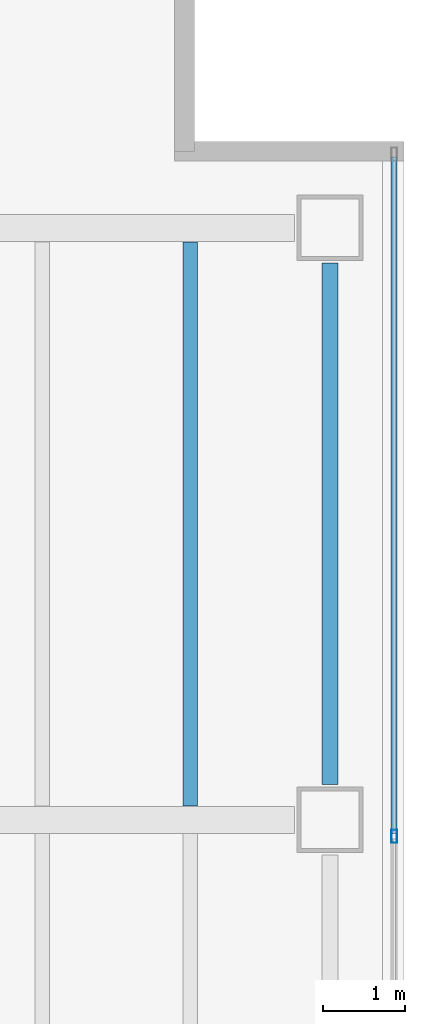
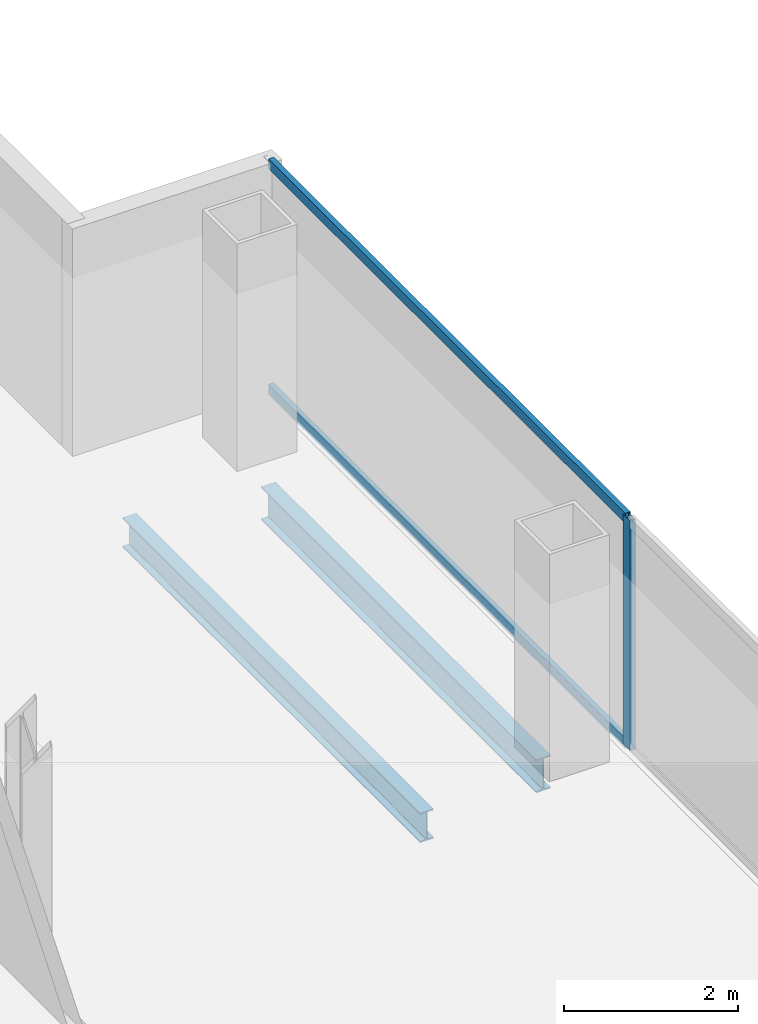
# One storey, part 14 of 23: 3 members, 2 beams, 1 element without a shape of its own.
"""IFC4 building model written with IfcOpenShell, lengths in metres."""

from ifc_helpers import new_model, si_unit, direction, frame, origin, origin_2d, place, context, subcontext, project, spatial, hollow_rectangle, i_section, extrude, material, material_profile, profile_set, type_object, element, aggregate, save


model = new_model("IFC4")

# Units and contexts
model_context = context("Model", 3, precision=1e-05, world=origin(), true_north=direction((0.0, 1.0)))
body_context = subcontext(model_context, "Body", "Model", "MODEL_VIEW")
ifc_project = project(units=[si_unit("LENGTHUNIT", "METRE"), si_unit("AREAUNIT", "SQUARE_METRE"), si_unit("VOLUMEUNIT", "CUBIC_METRE"), si_unit("PLANEANGLEUNIT", "RADIAN"), si_unit("MASSUNIT", "GRAM", prefix="KILO")], contexts=[model_context])

# Site, building, storey
site_placement = place(None, origin())
site = spatial("IfcSite", under=ifc_project, at=site_placement, CompositionType="ELEMENT")
building_placement = place(site_placement, origin())
building = spatial("IfcBuilding", under=site, at=building_placement, Name="Cobrela Telecom Tower", CompositionType="ELEMENT")
storey_placement = place(building_placement, frame((0.0, 0.0, 187.25)))
storey = spatial("IfcBuildingStorey", under=building, at=storey_placement, Name="L47", CompositionType="ELEMENT", Elevation=187.25)

# Beams
ifc_material_1 = material(Name="Steel ASTM A992 Grade 50", Category="steel")
ifc_material_profile_1 = material_profile(ifc_material_1, i_section(OverallWidth=0.179931640625, OverallDepth=0.4169921875, WebThickness=0.010986328125, FlangeThickness=0.01806640625, FilletRadius=0.011962890625, at=origin_2d()), Name="W16X57")
ifc_profile_set_1 = profile_set([ifc_material_profile_1], Name="Steel ASTM A992 Grade 50")
beam_type_1 = type_object("IfcBeamType", Name="BM-JOIST-04", PredefinedType="JOIST", material=ifc_profile_set_1)
beam_1_placement = place(storey_placement, frame((41.39990234375, 14.569091796875, -0.468505859375), z_axis=(0.0, 1.0, 0.0), x_axis=(-1.0, 0.0, 0.0)))
element("IfcBeam", 1, at=beam_1_placement, inside=storey, type_object=beam_type_1, Name="L47 Secondary Composite Floor Beam J30", PredefinedType="JOIST", context=body_context, shape_type="SweptSolid", body=[
    extrude(i_section(OverallWidth=0.179931640625, OverallDepth=0.4169921875, WebThickness=0.010986328125, FlangeThickness=0.01806640625, FilletRadius=0.011962890625, at=origin_2d()), origin(), (0.0, 0.0, 1.0), 6.86181640625),
])
ifc_material_profile_2 = material_profile(ifc_material_1, i_section(OverallWidth=0.193115234375, OverallDepth=0.467041015625, WebThickness=0.011474609375, FlangeThickness=0.01904296875, FilletRadius=0.012939453125, at=origin_2d()), Name="W18X65")
ifc_profile_set_2 = profile_set([ifc_material_profile_2], Name="Steel ASTM A992 Grade 50")
beam_type_2 = type_object("IfcBeamType", Name="BM-SPAND-05", PredefinedType="SPANDREL", material=ifc_profile_set_2)
beam_2_placement = place(storey_placement, frame((43.10009765625, 14.830078125, -0.493408203125), z_axis=(0.0, 1.0, 0.0), x_axis=(-1.0, 0.0, 0.0)))
element("IfcBeam", 2, at=beam_2_placement, inside=storey, type_object=beam_type_2, Name="L47 Perimeter Spandrel Y43", PredefinedType="SPANDREL", context=body_context, shape_type="SweptSolid", body=[
    extrude(i_section(OverallWidth=0.193115234375, OverallDepth=0.467041015625, WebThickness=0.011474609375, FlangeThickness=0.01904296875, FilletRadius=0.012939453125, at=origin_2d()), origin(), (0.0, 0.0, 1.0), 6.33984375),
])

# Curtain wall, members
ifc_material_2 = material(Name="Anodized Bronze Aluminium 6063-T6", Category="aluminium")
curtain_wall_type = type_object("IfcCurtainWallType", Name="CW-SYS-OFF-LO", PredefinedType="USERDEFINED", material=ifc_material_2)
curtain_wall_placement = place(storey_placement, origin())
curtain_wall = element("IfcCurtainWall", 3, at=curtain_wall_placement, inside=storey, type_object=curtain_wall_type, Name="L47 Unitised Bronze Curtain Wall 14", ObjectType="UNITISED CURTAIN WALL", PredefinedType="USERDEFINED")
ifc_material_profile_3 = material_profile(ifc_material_2, hollow_rectangle(XDim=0.070068359375, YDim=0.159912109375, WallThickness=0.00390625, at=origin_2d()), Name="ALU 70x160x4")
ifc_profile_set_3 = profile_set([ifc_material_profile_3], Name="Anodized Bronze Aluminium 6063-T6")
member_type_1 = type_object("IfcMemberType", Name="CW-SYS-OFF-LO-MUL", PredefinedType="MULLION", material=ifc_profile_set_3)
member_1_placement = place(storey_placement, frame((43.8798828125, 14.199951171875, 0.0), z_axis=(0.0, 0.0, 1.0), x_axis=(1.0, 0.0, 0.0)))
member_1 = element("IfcMember", 4, at=member_1_placement, type_object=member_type_1, Name="CW-OFF-LO mullion 2", PredefinedType="MULLION", context=body_context, shape_type="SweptSolid", body=[
    extrude(hollow_rectangle(XDim=0.070068359375, YDim=0.159912109375, WallThickness=0.00390625, at=origin_2d()), origin(), (0.0, 0.0, 1.0), 3.239990234375),
])
ifc_material_profile_4 = material_profile(ifc_material_2, hollow_rectangle(XDim=0.070068359375, YDim=0.139892578125, WallThickness=0.00390625, at=origin_2d()), Name="ALU 70x140x4")
ifc_profile_set_4 = profile_set([ifc_material_profile_4], Name="Anodized Bronze Aluminium 6063-T6")
member_type_2 = type_object("IfcMemberType", Name="CW-SYS-OFF-LO-TRN", PredefinedType="USERDEFINED", material=ifc_profile_set_4)
member_2_placement = place(storey_placement, frame((43.8798828125, 22.4599609375, 0.034912109375), z_axis=(0.0, -1.0, 0.0), x_axis=(1.0, 0.0, 0.0)))
member_2 = element("IfcMember", 5, at=member_2_placement, type_object=member_type_2, Name="CW-OFF-LO transom 1.1", ObjectType="TRANSOM", PredefinedType="USERDEFINED", context=body_context, shape_type="SweptSolid", body=[
    extrude(hollow_rectangle(XDim=0.070068359375, YDim=0.139892578125, WallThickness=0.00390625, at=origin_2d()), origin(), (0.0, 0.0, 1.0), 8.224853515625),
])
member_3_placement = place(storey_placement, frame((43.8798828125, 22.4599609375, 3.205078125), z_axis=(0.0, -1.0, 0.0), x_axis=(1.0, 0.0, 0.0)))
member_3 = element("IfcMember", 6, at=member_3_placement, type_object=member_type_2, Name="CW-OFF-LO transom 1.2", ObjectType="TRANSOM", PredefinedType="USERDEFINED", context=body_context, shape_type="SweptSolid", body=[
    extrude(hollow_rectangle(XDim=0.070068359375, YDim=0.139892578125, WallThickness=0.00390625, at=origin_2d()), origin(), (0.0, 0.0, 1.0), 8.224853515625),
])
aggregate(curtain_wall, [member_1, member_2, member_3])

save(model, "model.ifc")
